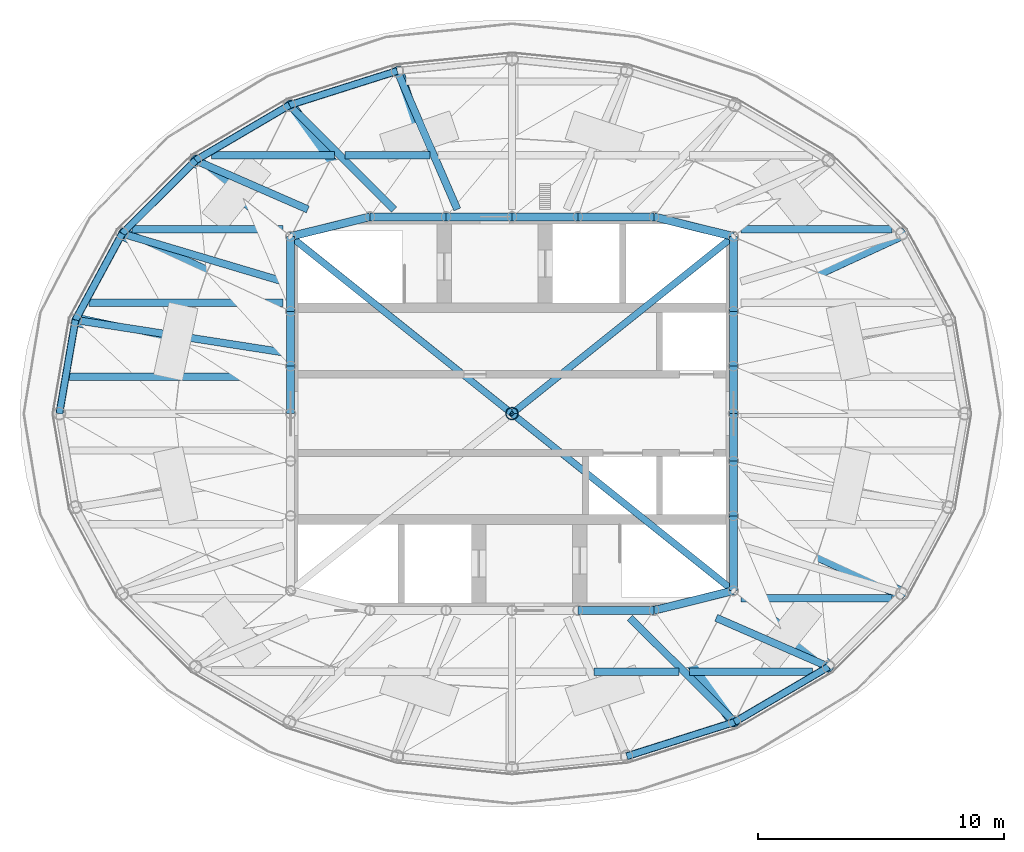
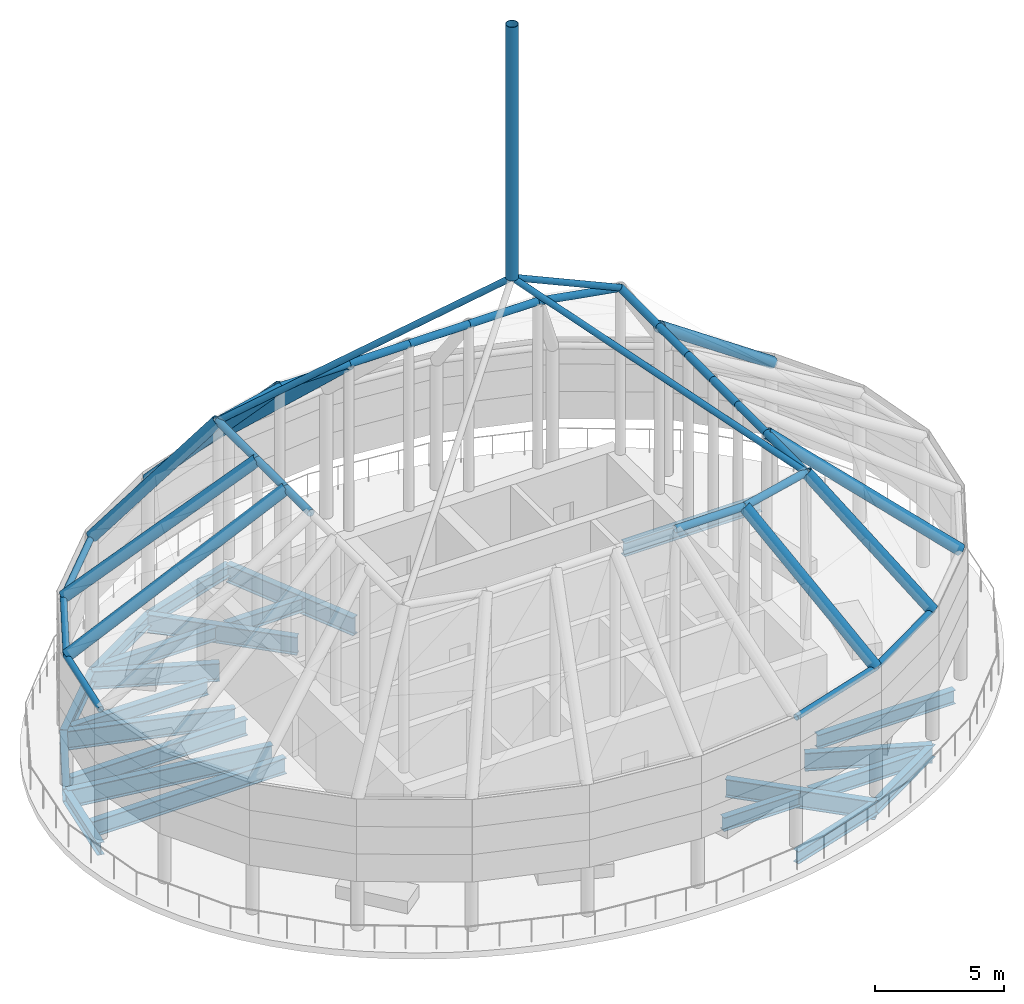
# One storey, part 2 of 8: 56 beams, 4 members.
"""IFC4 building model written with IfcOpenShell, lengths in metres."""

from ifc_helpers import new_model, si_unit, direction, frame, origin, origin_2d, place, context, subcontext, project, spatial, hollow_circle, i_section, extrude, material, material_profile, profile_set, type_object, element, save


model = new_model("IFC4")

# Units and contexts
model_context = context("Model", 3, precision=1e-05, world=origin(), true_north=direction((0.0, 1.0)))
body_context = subcontext(model_context, "Body", "Model", "MODEL_VIEW")
ifc_project = project(units=[si_unit("LENGTHUNIT", "METRE"), si_unit("AREAUNIT", "SQUARE_METRE"), si_unit("VOLUMEUNIT", "CUBIC_METRE"), si_unit("PLANEANGLEUNIT", "RADIAN"), si_unit("MASSUNIT", "GRAM", prefix="KILO")], contexts=[model_context])

# Site, building, storey
site_placement = place(None, origin())
site = spatial("IfcSite", under=ifc_project, at=site_placement, CompositionType="ELEMENT")
building_placement = place(site_placement, origin())
building = spatial("IfcBuilding", under=site, at=building_placement, Name="Hankou Lantern Tower", CompositionType="ELEMENT")
storey_placement = place(building_placement, frame((0.0, 0.0, 248.699951171875)))
storey = spatial("IfcBuildingStorey", under=building, at=storey_placement, Name="RF", CompositionType="ELEMENT", Elevation=248.699951171875)

# Beams
ifc_material_1 = material(Name="Steel Q355B", Category="steel")
ifc_material_profile_1 = material_profile(ifc_material_1, hollow_circle(Radius=0.136474609375, WallThickness=0.011962890625, at=origin_2d()), Name="CHS273x12")
ifc_profile_set_1 = profile_set([ifc_material_profile_1], Name="Steel Q355B")
beam_type_1 = type_object("IfcBeamType", Name="CP1 CANOPY RING CHS273x12", PredefinedType="BEAM", material=ifc_profile_set_1)
beam_1_placement = place(storey_placement, frame((-4.66552734375, 13.929443359375, 6.0), z_axis=(-0.953150024165, -0.302497985836, 0.0), x_axis=(0.302497985836, -0.953150024165, 0.0)))
element("IfcBeam", 1, at=beam_1_placement, inside=storey, type_object=beam_type_1, Name="Canopy outer ring bay R08", PredefinedType="BEAM", context=body_context, shape_type="SweptSolid", body=[
    extrude(hollow_circle(Radius=0.136474609375, WallThickness=0.011962890625, at=origin_2d()), origin(), (0.0, 0.0, 1.0), 4.5986328125),
])
beam_2_placement = place(storey_placement, frame((-9.048828125, 12.538330078125, 6.0), z_axis=(-0.862064554074, -0.506798485207, 0.0), x_axis=(0.506798485207, -0.862064554074, 0.0)))
element("IfcBeam", 2, at=beam_2_placement, inside=storey, type_object=beam_type_1, Name="Canopy outer ring bay R09", PredefinedType="BEAM", context=body_context, shape_type="SweptSolid", body=[
    extrude(hollow_circle(Radius=0.136474609375, WallThickness=0.011962890625, at=origin_2d()), origin(), (0.0, 0.0, 1.0), 4.428955078125),
])
beam_3_placement = place(storey_placement, frame((-12.866943359375, 10.293701171875, 6.0), z_axis=(-0.707657475865, -0.706555657293, 0.0), x_axis=(0.706555657293, -0.707657475865, 0.0)))
element("IfcBeam", 3, at=beam_3_placement, inside=storey, type_object=beam_type_1, Name="Canopy outer ring bay R10", PredefinedType="BEAM", context=body_context, shape_type="SweptSolid", body=[
    extrude(hollow_circle(Radius=0.136474609375, WallThickness=0.011962890625, at=origin_2d()), origin(), (0.0, 0.0, 1.0), 4.2099609375),
])
beam_4_placement = place(storey_placement, frame((-15.84619140625, 7.319091796875, 6.0), z_axis=(-0.475556651725, -0.879685097634, 0.0), x_axis=(0.879685097634, -0.475556651725, 0.0)))
element("IfcBeam", 4, at=beam_4_placement, inside=storey, type_object=beam_type_1, Name="Canopy outer ring bay R11", PredefinedType="BEAM", context=body_context, shape_type="SweptSolid", body=[
    extrude(hollow_circle(Radius=0.136474609375, WallThickness=0.011962890625, at=origin_2d()), origin(), (0.0, 0.0, 1.0), 3.99560546875),
])
beam_5_placement = place(storey_placement, frame((-17.746337890625, 3.80419921875, 6.0), z_axis=(-0.169320180804, -0.98556109723, 0.0), x_axis=(0.98556109723, -0.169320180804, 0.0)))
element("IfcBeam", 5, at=beam_5_placement, inside=storey, type_object=beam_type_1, Name="Canopy outer ring bay R12", PredefinedType="BEAM", context=body_context, shape_type="SweptSolid", body=[
    extrude(hollow_circle(Radius=0.136474609375, WallThickness=0.011962890625, at=origin_2d()), origin(), (0.0, 0.0, 1.0), 3.85986328125),
])
beam_6_placement = place(storey_placement, frame((4.66552734375, -13.929443359375, 6.0), z_axis=(0.953150024165, 0.302497985836, 0.0), x_axis=(-0.302497985836, 0.953150024165, 0.0)))
element("IfcBeam", 6, at=beam_6_placement, inside=storey, type_object=beam_type_1, Name="Canopy outer ring bay R20", PredefinedType="BEAM", context=body_context, shape_type="SweptSolid", body=[
    extrude(hollow_circle(Radius=0.136474609375, WallThickness=0.011962890625, at=origin_2d()), origin(), (0.0, 0.0, 1.0), 4.5986328125),
])
beam_7_placement = place(storey_placement, frame((9.048828125, -12.538330078125, 6.0), z_axis=(0.862064554074, 0.506798485207, 0.0), x_axis=(-0.506798485207, 0.862064554074, 0.0)))
element("IfcBeam", 7, at=beam_7_placement, inside=storey, type_object=beam_type_1, Name="Canopy outer ring bay R21", PredefinedType="BEAM", context=body_context, shape_type="SweptSolid", body=[
    extrude(hollow_circle(Radius=0.136474609375, WallThickness=0.011962890625, at=origin_2d()), origin(), (0.0, 0.0, 1.0), 4.428955078125),
])
ifc_material_2 = material(Name="Steel Q355B", Category="steel")
ifc_material_profile_2 = material_profile(ifc_material_2, hollow_circle(Radius=0.16259765625, WallThickness=0.013916015625, at=origin_2d()), Name="CHS325x14")
ifc_profile_set_2 = profile_set([ifc_material_profile_2], Name="Steel Q355B")
beam_type_2 = type_object("IfcBeamType", Name="CP2 CANOPY CROWN RING CHS325x14", PredefinedType="BEAM", material=ifc_profile_set_2)
beam_8_placement = place(storey_placement, frame((9.0, 0.0, 12.0), z_axis=(0.0, 1.0, 0.0), x_axis=(-1.0, 0.0, 0.0)))
element("IfcBeam", 8, at=beam_8_placement, inside=storey, type_object=beam_type_2, Name="Canopy crown ring bay R01", PredefinedType="BEAM", context=body_context, shape_type="SweptSolid", body=[
    extrude(hollow_circle(Radius=0.16259765625, WallThickness=0.013916015625, at=origin_2d()), origin(), (0.0, 0.0, 1.0), 1.92919921875),
])
beam_9_placement = place(storey_placement, frame((9.0, 1.92919921875, 12.0), z_axis=(0.0, 1.0, 0.0), x_axis=(-1.0, 0.0, 0.0)))
element("IfcBeam", 9, at=beam_9_placement, inside=storey, type_object=beam_type_2, Name="Canopy crown ring bay R02", PredefinedType="BEAM", context=body_context, shape_type="SweptSolid", body=[
    extrude(hollow_circle(Radius=0.16259765625, WallThickness=0.013916015625, at=origin_2d()), origin(), (0.0, 0.0, 1.0), 2.227783203125),
])
beam_10_placement = place(storey_placement, frame((9.0, 4.156982421875, 12.0), z_axis=(0.0, 1.0, 0.0), x_axis=(-1.0, 0.0, 0.0)))
element("IfcBeam", 10, at=beam_10_placement, inside=storey, type_object=beam_type_2, Name="Canopy crown ring bay R03", PredefinedType="BEAM", context=body_context, shape_type="SweptSolid", body=[
    extrude(hollow_circle(Radius=0.16259765625, WallThickness=0.013916015625, at=origin_2d()), origin(), (0.0, 0.0, 1.0), 3.04296875),
])
beam_11_placement = place(storey_placement, frame((9.0, 7.199951171875, 12.0), z_axis=(-0.970607276684, 0.240668889656, 0.0), x_axis=(-0.240668889656, -0.970607276684, 0.0)))
element("IfcBeam", 11, at=beam_11_placement, inside=storey, type_object=beam_type_2, Name="Canopy crown ring bay R04", PredefinedType="BEAM", context=body_context, shape_type="SweptSolid", body=[
    extrude(hollow_circle(Radius=0.16259765625, WallThickness=0.013916015625, at=origin_2d()), origin(), (0.0, 0.0, 1.0), 3.32421875),
])
beam_12_placement = place(storey_placement, frame((5.7734375, 8.0, 12.0), z_axis=(-1.0, 0.0, 0.0), x_axis=(0.0, -1.0, 0.0)))
element("IfcBeam", 12, at=beam_12_placement, inside=storey, type_object=beam_type_2, Name="Canopy crown ring bay R05", PredefinedType="BEAM", context=body_context, shape_type="SweptSolid", body=[
    extrude(hollow_circle(Radius=0.16259765625, WallThickness=0.013916015625, at=origin_2d()), origin(), (0.0, 0.0, 1.0), 3.093994140625),
])
for number, where, z_axis, x_axis, name in (
    (13, (2.679443359375, 8.0, 12.0), (-1.0, 0.0, 0.0), (0.0, -1.0, 0.0), "Canopy crown ring bay R06"),
    (14, (0.0, 8.0, 12.0), (-1.0, 0.0, 0.0), (0.0, -1.0, 0.0), "Canopy crown ring bay R07"),
):
    element("IfcBeam", number, at=place(storey_placement, frame(where, z_axis=z_axis, x_axis=x_axis)), inside=storey, type_object=beam_type_2, Name=name, PredefinedType="BEAM", context=body_context, shape_type="SweptSolid", body=[
        extrude(hollow_circle(Radius=0.16259765625, WallThickness=0.013916015625, at=origin_2d()), origin(), (0.0, 0.0, 1.0), 2.679443359375),
    ])
beam_13_placement = place(storey_placement, frame((-2.679443359375, 8.0, 12.0), z_axis=(-1.0, 0.0, 0.0), x_axis=(0.0, -1.0, 0.0)))
element("IfcBeam", 15, at=beam_13_placement, inside=storey, type_object=beam_type_2, Name="Canopy crown ring bay R08", PredefinedType="BEAM", context=body_context, shape_type="SweptSolid", body=[
    extrude(hollow_circle(Radius=0.16259765625, WallThickness=0.013916015625, at=origin_2d()), origin(), (0.0, 0.0, 1.0), 3.093994140625),
])
beam_14_placement = place(storey_placement, frame((-5.7734375, 8.0, 12.0), z_axis=(-0.970607276684, -0.240668889656, 0.0), x_axis=(0.240668889656, -0.970607276684, 0.0)))
element("IfcBeam", 16, at=beam_14_placement, inside=storey, type_object=beam_type_2, Name="Canopy crown ring bay R09", PredefinedType="BEAM", context=body_context, shape_type="SweptSolid", body=[
    extrude(hollow_circle(Radius=0.16259765625, WallThickness=0.013916015625, at=origin_2d()), origin(), (0.0, 0.0, 1.0), 3.32421875),
])
beam_15_placement = place(storey_placement, frame((-9.0, 7.199951171875, 12.0), z_axis=(0.0, -1.0, 0.0), x_axis=(1.0, 0.0, 0.0)))
element("IfcBeam", 17, at=beam_15_placement, inside=storey, type_object=beam_type_2, Name="Canopy crown ring bay R10", PredefinedType="BEAM", context=body_context, shape_type="SweptSolid", body=[
    extrude(hollow_circle(Radius=0.16259765625, WallThickness=0.013916015625, at=origin_2d()), origin(), (0.0, 0.0, 1.0), 3.04296875),
])
beam_16_placement = place(storey_placement, frame((-9.0, 4.156982421875, 12.0), z_axis=(0.0, -1.0, 0.0), x_axis=(1.0, 0.0, 0.0)))
element("IfcBeam", 18, at=beam_16_placement, inside=storey, type_object=beam_type_2, Name="Canopy crown ring bay R11", PredefinedType="BEAM", context=body_context, shape_type="SweptSolid", body=[
    extrude(hollow_circle(Radius=0.16259765625, WallThickness=0.013916015625, at=origin_2d()), origin(), (0.0, 0.0, 1.0), 2.227783203125),
])
beam_17_placement = place(storey_placement, frame((-9.0, 1.92919921875, 12.0), z_axis=(0.0, -1.0, 0.0), x_axis=(1.0, 0.0, 0.0)))
element("IfcBeam", 19, at=beam_17_placement, inside=storey, type_object=beam_type_2, Name="Canopy crown ring bay R12", PredefinedType="BEAM", context=body_context, shape_type="SweptSolid", body=[
    extrude(hollow_circle(Radius=0.16259765625, WallThickness=0.013916015625, at=origin_2d()), origin(), (0.0, 0.0, 1.0), 1.92919921875),
])
beam_18_placement = place(storey_placement, frame((2.679443359375, -8.0, 12.0), z_axis=(1.0, 0.0, 0.0), x_axis=(0.0, 1.0, 0.0)))
element("IfcBeam", 20, at=beam_18_placement, inside=storey, type_object=beam_type_2, Name="Canopy crown ring bay R20", PredefinedType="BEAM", context=body_context, shape_type="SweptSolid", body=[
    extrude(hollow_circle(Radius=0.16259765625, WallThickness=0.013916015625, at=origin_2d()), origin(), (0.0, 0.0, 1.0), 3.093994140625),
])
beam_19_placement = place(storey_placement, frame((5.7734375, -8.0, 12.0), z_axis=(0.970607276684, 0.240668889656, 0.0), x_axis=(-0.240668889656, 0.970607276684, 0.0)))
element("IfcBeam", 21, at=beam_19_placement, inside=storey, type_object=beam_type_2, Name="Canopy crown ring bay R21", PredefinedType="BEAM", context=body_context, shape_type="SweptSolid", body=[
    extrude(hollow_circle(Radius=0.16259765625, WallThickness=0.013916015625, at=origin_2d()), origin(), (0.0, 0.0, 1.0), 3.32421875),
])
beam_20_placement = place(storey_placement, frame((9.0, -7.199951171875, 12.0), z_axis=(0.0, 1.0, 0.0), x_axis=(-1.0, 0.0, 0.0)))
element("IfcBeam", 22, at=beam_20_placement, inside=storey, type_object=beam_type_2, Name="Canopy crown ring bay R22", PredefinedType="BEAM", context=body_context, shape_type="SweptSolid", body=[
    extrude(hollow_circle(Radius=0.16259765625, WallThickness=0.013916015625, at=origin_2d()), origin(), (0.0, 0.0, 1.0), 3.04296875),
])
beam_21_placement = place(storey_placement, frame((9.0, -4.156982421875, 12.0), z_axis=(0.0, 1.0, 0.0), x_axis=(-1.0, 0.0, 0.0)))
element("IfcBeam", 23, at=beam_21_placement, inside=storey, type_object=beam_type_2, Name="Canopy crown ring bay R23", PredefinedType="BEAM", context=body_context, shape_type="SweptSolid", body=[
    extrude(hollow_circle(Radius=0.16259765625, WallThickness=0.013916015625, at=origin_2d()), origin(), (0.0, 0.0, 1.0), 2.227783203125),
])
beam_22_placement = place(storey_placement, frame((9.0, -1.92919921875, 12.0), z_axis=(0.0, 1.0, 0.0), x_axis=(-1.0, 0.0, 0.0)))
element("IfcBeam", 24, at=beam_22_placement, inside=storey, type_object=beam_type_2, Name="Canopy crown ring bay R24", PredefinedType="BEAM", context=body_context, shape_type="SweptSolid", body=[
    extrude(hollow_circle(Radius=0.16259765625, WallThickness=0.013916015625, at=origin_2d()), origin(), (0.0, 0.0, 1.0), 1.92919921875),
])
ifc_material_3 = material(Name="Steel Q355B", Category="steel")
ifc_material_profile_3 = material_profile(ifc_material_3, hollow_circle(Radius=0.25390625, WallThickness=0.02001953125, at=origin_2d()), Name="CHS508x20")
ifc_profile_set_3 = profile_set([ifc_material_profile_3], Name="Steel Q355B")
beam_type_3 = type_object("IfcBeamType", Name="CR2 CANOPY RIB CHS508x20", PredefinedType="BEAM", material=ifc_profile_set_3)
beam_23_placement = place(storey_placement, frame((15.84619140625, 7.319091796875, 6.0), z_axis=(-0.710416460096, -0.328126167576, 0.622608762689), x_axis=(0.41931273402, -0.907841853567, 0.0)))
element("IfcBeam", 25, at=beam_23_placement, inside=storey, type_object=beam_type_3, Name="Canopy rib R03", PredefinedType="BEAM", context=body_context, shape_type="SweptSolid", body=[
    extrude(hollow_circle(Radius=0.25390625, WallThickness=0.02001953125, at=origin_2d()), origin(), (0.0, 0.0, 1.0), 9.636962890625),
])
beam_24_placement = place(storey_placement, frame((-4.66552734375, 13.929443359375, 6.0), z_axis=(0.229176173343, -0.684204268222, 0.692345867987), x_axis=(0.948221591539, 0.317609529673, 0.0)))
element("IfcBeam", 26, at=beam_24_placement, inside=storey, type_object=beam_type_3, Name="Canopy rib R08", PredefinedType="BEAM", context=body_context, shape_type="SweptSolid", body=[
    extrude(hollow_circle(Radius=0.25390625, WallThickness=0.02001953125, at=origin_2d()), origin(), (0.0, 0.0, 1.0), 8.666259765625),
])
beam_25_placement = place(storey_placement, frame((-9.048828125, 12.538330078125, 6.0), z_axis=(0.399186765563, -0.553106945815, 0.731247312946), x_axis=(0.810873576555, 0.58522136226, 0.0)))
element("IfcBeam", 27, at=beam_25_placement, inside=storey, type_object=beam_type_3, Name="Canopy rib R09", PredefinedType="BEAM", context=body_context, shape_type="SweptSolid", body=[
    extrude(hollow_circle(Radius=0.25390625, WallThickness=0.02001953125, at=origin_2d()), origin(), (0.0, 0.0, 1.0), 8.205078125),
])
beam_26_placement = place(storey_placement, frame((-12.866943359375, 10.293701171875, 6.0), z_axis=(0.497052270675, -0.397666921775, 0.771232817988), x_axis=(0.624719095634, 0.780849570372, 0.0)))
element("IfcBeam", 28, at=beam_26_placement, inside=storey, type_object=beam_type_3, Name="Canopy rib R10", PredefinedType="BEAM", context=body_context, shape_type="SweptSolid", body=[
    extrude(hollow_circle(Radius=0.25390625, WallThickness=0.02001953125, at=origin_2d()), origin(), (0.0, 0.0, 1.0), 7.77978515625),
])
beam_27_placement = place(storey_placement, frame((-15.84619140625, 7.319091796875, 6.0), z_axis=(0.710416460096, -0.328126167576, 0.622608762689), x_axis=(0.41931273402, 0.907841853567, 0.0)))
element("IfcBeam", 29, at=beam_27_placement, inside=storey, type_object=beam_type_3, Name="Canopy rib R11", PredefinedType="BEAM", context=body_context, shape_type="SweptSolid", body=[
    extrude(hollow_circle(Radius=0.25390625, WallThickness=0.02001953125, at=origin_2d()), origin(), (0.0, 0.0, 1.0), 9.636962890625),
])
beam_28_placement = place(storey_placement, frame((-17.746337890625, 3.80419921875, 6.0), z_axis=(0.812027905765, -0.174078836463, 0.55705227668), x_axis=(0.209612965099, 0.977784436807, 0.0)))
element("IfcBeam", 30, at=beam_28_placement, inside=storey, type_object=beam_type_3, Name="Canopy rib R12", PredefinedType="BEAM", context=body_context, shape_type="SweptSolid", body=[
    extrude(hollow_circle(Radius=0.25390625, WallThickness=0.02001953125, at=origin_2d()), origin(), (0.0, 0.0, 1.0), 10.77099609375),
])
beam_29_placement = place(storey_placement, frame((9.048828125, -12.538330078125, 6.0), z_axis=(-0.399186765563, 0.553106945815, 0.731247312946), x_axis=(-0.810873576555, -0.58522136226, 0.0)))
element("IfcBeam", 31, at=beam_29_placement, inside=storey, type_object=beam_type_3, Name="Canopy rib R21", PredefinedType="BEAM", context=body_context, shape_type="SweptSolid", body=[
    extrude(hollow_circle(Radius=0.25390625, WallThickness=0.02001953125, at=origin_2d()), origin(), (0.0, 0.0, 1.0), 8.205078125),
])
beam_30_placement = place(storey_placement, frame((12.866943359375, -10.293701171875, 6.0), z_axis=(-0.497052270675, 0.397666921775, 0.771232817988), x_axis=(-0.624719095634, -0.780849570372, 0.0)))
element("IfcBeam", 32, at=beam_30_placement, inside=storey, type_object=beam_type_3, Name="Canopy rib R22", PredefinedType="BEAM", context=body_context, shape_type="SweptSolid", body=[
    extrude(hollow_circle(Radius=0.25390625, WallThickness=0.02001953125, at=origin_2d()), origin(), (0.0, 0.0, 1.0), 7.77978515625),
])
beam_31_placement = place(storey_placement, frame((15.84619140625, -7.319091796875, 6.0), z_axis=(-0.710416460096, 0.328126167576, 0.622608762689), x_axis=(-0.41931273402, -0.907841853567, 0.0)))
element("IfcBeam", 33, at=beam_31_placement, inside=storey, type_object=beam_type_3, Name="Canopy rib R23", PredefinedType="BEAM", context=body_context, shape_type="SweptSolid", body=[
    extrude(hollow_circle(Radius=0.25390625, WallThickness=0.02001953125, at=origin_2d()), origin(), (0.0, 0.0, 1.0), 9.636962890625),
])

# Members
ifc_material_4 = material(Name="Steel Q355B", Category="steel")
ifc_material_profile_4 = material_profile(ifc_material_4, hollow_circle(Radius=0.136474609375, WallThickness=0.011962890625, at=origin_2d()), Name="CHS273x12")
ifc_profile_set_4 = profile_set([ifc_material_profile_4], Name="Steel Q355B")
member_type_1 = type_object("IfcMemberType", Name="CR4 CROWN RAKER CHS273x12", PredefinedType="MEMBER", material=ifc_profile_set_4)
for number, where, z_axis, x_axis, name in (
    (34, (9.0, 7.199951171875, 12.0), (-0.641485149635, -0.513184639428, 0.570209021897), (0.624692464322, -0.780870876022, 0.0), "Crown raker R04"),
    (35, (-9.0, 7.199951171875, 12.0), (0.641485149635, -0.513184639428, 0.570209021897), (0.624692464322, 0.780870876022, 0.0), "Crown raker R10"),
    (36, (9.0, -7.199951171875, 12.0), (-0.641485149635, 0.513184639428, 0.570209021897), (-0.624692464322, -0.780870876022, 0.0), "Crown raker R22"),
):
    element("IfcMember", number, at=place(storey_placement, frame(where, z_axis=z_axis, x_axis=x_axis)), inside=storey, type_object=member_type_1, Name=name, PredefinedType="MEMBER", context=body_context, shape_type="SweptSolid", body=[
        extrude(hollow_circle(Radius=0.136474609375, WallThickness=0.011962890625, at=origin_2d()), origin(), (0.0, 0.0, 1.0), 14.030029296875),
    ])

# Beams
ifc_material_5 = material(Name="Steel Q355B", Category="steel")
ifc_material_profile_5 = material_profile(ifc_material_5, i_section(OverallWidth=0.300048828125, OverallDepth=0.587890625, WebThickness=0.011962890625, FlangeThickness=0.02001953125, FilletRadius=0.01806640625, at=origin_2d()), Name="HM588x300x12x20")
ifc_profile_set_5 = profile_set([ifc_material_profile_5], Name="Steel Q355B")
beam_type_4 = type_object("IfcBeamType", Name="EB16 RING BEAM HM588x300x12x20", PredefinedType="SPANDREL", material=ifc_profile_set_5)
beam_32_placement = place(storey_placement, frame((-4.66552734375, 13.929443359375, -0.593994140625), z_axis=(-0.953150024165, -0.302497985836, 0.0), x_axis=(0.302497985836, -0.953150024165, 0.0)))
element("IfcBeam", 37, at=beam_32_placement, inside=storey, type_object=beam_type_4, Name="Ring beam R08-R09 RF", PredefinedType="SPANDREL", context=body_context, shape_type="SweptSolid", body=[
    extrude(i_section(OverallWidth=0.300048828125, OverallDepth=0.587890625, WebThickness=0.011962890625, FlangeThickness=0.02001953125, FilletRadius=0.01806640625, at=origin_2d()), origin(), (0.0, 0.0, 1.0), 4.5986328125),
])
beam_33_placement = place(storey_placement, frame((-9.048828125, 12.538330078125, -0.593994140625), z_axis=(-0.862064554074, -0.506798485207, 0.0), x_axis=(0.506798485207, -0.862064554074, 0.0)))
element("IfcBeam", 38, at=beam_33_placement, inside=storey, type_object=beam_type_4, Name="Ring beam R09-R10 RF", PredefinedType="SPANDREL", context=body_context, shape_type="SweptSolid", body=[
    extrude(i_section(OverallWidth=0.300048828125, OverallDepth=0.587890625, WebThickness=0.011962890625, FlangeThickness=0.02001953125, FilletRadius=0.01806640625, at=origin_2d()), origin(), (0.0, 0.0, 1.0), 4.428955078125),
])
beam_34_placement = place(storey_placement, frame((-12.866943359375, 10.293701171875, -0.593994140625), z_axis=(-0.707657475865, -0.706555657293, 0.0), x_axis=(0.706555657293, -0.707657475865, 0.0)))
element("IfcBeam", 39, at=beam_34_placement, inside=storey, type_object=beam_type_4, Name="Ring beam R10-R11 RF", PredefinedType="SPANDREL", context=body_context, shape_type="SweptSolid", body=[
    extrude(i_section(OverallWidth=0.300048828125, OverallDepth=0.587890625, WebThickness=0.011962890625, FlangeThickness=0.02001953125, FilletRadius=0.01806640625, at=origin_2d()), origin(), (0.0, 0.0, 1.0), 4.2099609375),
])
beam_35_placement = place(storey_placement, frame((-15.84619140625, 7.319091796875, -0.593994140625), z_axis=(-0.475556651725, -0.879685097634, 0.0), x_axis=(0.879685097634, -0.475556651725, 0.0)))
element("IfcBeam", 40, at=beam_35_placement, inside=storey, type_object=beam_type_4, Name="Ring beam R11-R12 RF", PredefinedType="SPANDREL", context=body_context, shape_type="SweptSolid", body=[
    extrude(i_section(OverallWidth=0.300048828125, OverallDepth=0.587890625, WebThickness=0.011962890625, FlangeThickness=0.02001953125, FilletRadius=0.01806640625, at=origin_2d()), origin(), (0.0, 0.0, 1.0), 3.99560546875),
])
beam_36_placement = place(storey_placement, frame((-17.746337890625, 3.80419921875, -0.593994140625), z_axis=(-0.169320180804, -0.98556109723, 0.0), x_axis=(0.98556109723, -0.169320180804, 0.0)))
element("IfcBeam", 41, at=beam_36_placement, inside=storey, type_object=beam_type_4, Name="Ring beam R12-R13 RF", PredefinedType="SPANDREL", context=body_context, shape_type="SweptSolid", body=[
    extrude(i_section(OverallWidth=0.300048828125, OverallDepth=0.587890625, WebThickness=0.011962890625, FlangeThickness=0.02001953125, FilletRadius=0.01806640625, at=origin_2d()), origin(), (0.0, 0.0, 1.0), 3.85986328125),
])
beam_37_placement = place(storey_placement, frame((4.66552734375, -13.929443359375, -0.593994140625), z_axis=(0.953150024165, 0.302497985836, 0.0), x_axis=(-0.302497985836, 0.953150024165, 0.0)))
element("IfcBeam", 42, at=beam_37_placement, inside=storey, type_object=beam_type_4, Name="Ring beam R20-R21 RF", PredefinedType="SPANDREL", context=body_context, shape_type="SweptSolid", body=[
    extrude(i_section(OverallWidth=0.300048828125, OverallDepth=0.587890625, WebThickness=0.011962890625, FlangeThickness=0.02001953125, FilletRadius=0.01806640625, at=origin_2d()), origin(), (0.0, 0.0, 1.0), 4.5986328125),
])
beam_38_placement = place(storey_placement, frame((9.048828125, -12.538330078125, -0.593994140625), z_axis=(0.862064554074, 0.506798485207, 0.0), x_axis=(-0.506798485207, 0.862064554074, 0.0)))
element("IfcBeam", 43, at=beam_38_placement, inside=storey, type_object=beam_type_4, Name="Ring beam R21-R22 RF", PredefinedType="SPANDREL", context=body_context, shape_type="SweptSolid", body=[
    extrude(i_section(OverallWidth=0.300048828125, OverallDepth=0.587890625, WebThickness=0.011962890625, FlangeThickness=0.02001953125, FilletRadius=0.01806640625, at=origin_2d()), origin(), (0.0, 0.0, 1.0), 4.428955078125),
])
ifc_material_6 = material(Name="Steel Q355B", Category="steel")
ifc_material_profile_6 = material_profile(ifc_material_6, i_section(OverallWidth=0.300048828125, OverallDepth=0.85009765625, WebThickness=0.01611328125, FlangeThickness=0.027099609375, FilletRadius=0.01806640625, at=origin_2d()), Name="HN850x300x16x27")
ifc_profile_set_6 = profile_set([ifc_material_profile_6], Name="Steel Q355B")
beam_type_5 = type_object("IfcBeamType", Name="RB12 RADIAL BEAM HN850x300x16x27", PredefinedType="BEAM", material=ifc_profile_set_6)
beam_39_placement = place(storey_placement, frame((-2.223876953125, 8.300048828125, -0.724853515625), z_axis=(-0.397915592164, 0.917422030209, 0.0), x_axis=(-0.917422030209, -0.397915592164, 0.0)))
element("IfcBeam", 44, at=beam_39_placement, inside=storey, type_object=beam_type_5, Name="Radial beam R08 RF", PredefinedType="BEAM", context=body_context, shape_type="SweptSolid", body=[
    extrude(i_section(OverallWidth=0.300048828125, OverallDepth=0.85009765625, WebThickness=0.01611328125, FlangeThickness=0.027099609375, FilletRadius=0.01806640625, at=origin_2d()), origin(), (0.0, 0.0, 1.0), 6.135986328125),
])
beam_40_placement = place(storey_placement, frame((-4.7919921875, 8.300048828125, -0.724853515625), z_axis=(-0.708649524574, 0.705560664522, 0.0), x_axis=(-0.705560664522, -0.708649524574, 0.0)))
element("IfcBeam", 45, at=beam_40_placement, inside=storey, type_object=beam_type_5, Name="Radial beam R09 RF", PredefinedType="BEAM", context=body_context, shape_type="SweptSolid", body=[
    extrude(i_section(OverallWidth=0.300048828125, OverallDepth=0.85009765625, WebThickness=0.01611328125, FlangeThickness=0.027099609375, FilletRadius=0.01806640625, at=origin_2d()), origin(), (0.0, 0.0, 1.0), 6.007080078125),
])
beam_41_placement = place(storey_placement, frame((-8.300048828125, 8.300048828125, -0.724853515625), z_axis=(-0.91647863232, 0.400083636882, 0.0), x_axis=(-0.400083636882, -0.91647863232, 0.0)))
element("IfcBeam", 46, at=beam_41_placement, inside=storey, type_object=beam_type_5, Name="Radial beam R10 RF", PredefinedType="BEAM", context=body_context, shape_type="SweptSolid", body=[
    extrude(i_section(OverallWidth=0.300048828125, OverallDepth=0.85009765625, WebThickness=0.01611328125, FlangeThickness=0.027099609375, FilletRadius=0.01806640625, at=origin_2d()), origin(), (0.0, 0.0, 1.0), 4.983154296875),
])
beam_42_placement = place(storey_placement, frame((-9.300048828125, 2.491943359375, -0.724853515625), z_axis=(-0.988145083079, 0.153522945472, 0.0), x_axis=(-0.153522945472, -0.988145083079, 0.0)))
element("IfcBeam", 47, at=beam_42_placement, inside=storey, type_object=beam_type_5, Name="Radial beam R12 RF", PredefinedType="BEAM", context=body_context, shape_type="SweptSolid", body=[
    extrude(i_section(OverallWidth=0.300048828125, OverallDepth=0.85009765625, WebThickness=0.01611328125, FlangeThickness=0.027099609375, FilletRadius=0.01806640625, at=origin_2d()), origin(), (0.0, 0.0, 1.0), 8.547607421875),
])
beam_43_placement = place(storey_placement, frame((4.7919921875, -8.300048828125, -0.724853515625), z_axis=(0.708649524574, -0.705560664522, 0.0), x_axis=(0.705560664522, 0.708649524574, 0.0)))
element("IfcBeam", 48, at=beam_43_placement, inside=storey, type_object=beam_type_5, Name="Radial beam R21 RF", PredefinedType="BEAM", context=body_context, shape_type="SweptSolid", body=[
    extrude(i_section(OverallWidth=0.300048828125, OverallDepth=0.85009765625, WebThickness=0.01611328125, FlangeThickness=0.027099609375, FilletRadius=0.01806640625, at=origin_2d()), origin(), (0.0, 0.0, 1.0), 6.007080078125),
])
beam_44_placement = place(storey_placement, frame((8.300048828125, -8.300048828125, -0.724853515625), z_axis=(0.91647863232, -0.400083636882, 0.0), x_axis=(0.400083636882, 0.91647863232, 0.0)))
element("IfcBeam", 49, at=beam_44_placement, inside=storey, type_object=beam_type_5, Name="Radial beam R22 RF", PredefinedType="BEAM", context=body_context, shape_type="SweptSolid", body=[
    extrude(i_section(OverallWidth=0.300048828125, OverallDepth=0.85009765625, WebThickness=0.01611328125, FlangeThickness=0.027099609375, FilletRadius=0.01806640625, at=origin_2d()), origin(), (0.0, 0.0, 1.0), 4.983154296875),
])
ifc_material_7 = material(Name="Steel Q355B", Category="steel")
ifc_material_profile_7 = material_profile(ifc_material_7, i_section(OverallWidth=0.300048828125, OverallDepth=0.89990234375, WebThickness=0.01611328125, FlangeThickness=0.028076171875, FilletRadius=0.01806640625, at=origin_2d()), Name="HN900x300x16x28")
ifc_profile_set_7 = profile_set([ifc_material_profile_7], Name="Steel Q355B")
beam_type_6 = type_object("IfcBeamType", Name="RB13 RADIAL BEAM HN900x300x16x28", PredefinedType="BEAM", material=ifc_profile_set_7)
beam_45_placement = place(storey_placement, frame((-9.300048828125, 5.369384765625, -0.75), z_axis=(-0.958394006021, 0.285448645511, 0.0), x_axis=(-0.285448645511, -0.958394006021, 0.0)))
element("IfcBeam", 50, at=beam_45_placement, inside=storey, type_object=beam_type_6, Name="Radial beam R11 RF", PredefinedType="BEAM", context=body_context, shape_type="SweptSolid", body=[
    extrude(i_section(OverallWidth=0.300048828125, OverallDepth=0.89990234375, WebThickness=0.01611328125, FlangeThickness=0.028076171875, FilletRadius=0.01806640625, at=origin_2d()), origin(), (0.0, 0.0, 1.0), 6.830322265625),
])
ifc_material_8 = material(Name="Steel Q355B", Category="steel")
ifc_material_profile_8 = material_profile(ifc_material_8, i_section(OverallWidth=0.300048828125, OverallDepth=0.75, WebThickness=0.012939453125, FlangeThickness=0.02392578125, FilletRadius=0.01806640625, at=origin_2d()), Name="HN750x300x13x24")
ifc_profile_set_8 = profile_set([ifc_material_profile_8], Name="Steel Q355B")
beam_type_7 = type_object("IfcBeamType", Name="SB10 SECONDARY BEAM HN750x300x13x24", PredefinedType="JOIST", material=ifc_profile_set_8)
beam_46_placement = place(storey_placement, frame((-17.989990234375, 1.5, -0.675048828125), z_axis=(1.0, 0.0, 0.0), x_axis=(0.0, 1.0, 0.0)))
element("IfcBeam", 51, at=beam_46_placement, inside=storey, type_object=beam_type_7, Name="Floor joist J013 RF", PredefinedType="JOIST", context=body_context, shape_type="SweptSolid", body=[
    extrude(i_section(OverallWidth=0.300048828125, OverallDepth=0.75, WebThickness=0.012939453125, FlangeThickness=0.02392578125, FilletRadius=0.01806640625, at=origin_2d()), origin(), (0.0, 0.0, 1.0), 8.68994140625),
])
beam_47_placement = place(storey_placement, frame((-17.199462890625, 4.5, -0.675048828125), z_axis=(1.0, 0.0, 0.0), x_axis=(0.0, 1.0, 0.0)))
element("IfcBeam", 52, at=beam_47_placement, inside=storey, type_object=beam_type_7, Name="Floor joist J015 RF", PredefinedType="JOIST", context=body_context, shape_type="SweptSolid", body=[
    extrude(i_section(OverallWidth=0.300048828125, OverallDepth=0.75, WebThickness=0.012939453125, FlangeThickness=0.02392578125, FilletRadius=0.01806640625, at=origin_2d()), origin(), (0.0, 0.0, 1.0), 7.8994140625),
])
ifc_material_9 = material(Name="Steel Q355B", Category="steel")
ifc_material_profile_9 = material_profile(ifc_material_9, i_section(OverallWidth=0.300048828125, OverallDepth=0.64990234375, WebThickness=0.010986328125, FlangeThickness=0.01708984375, FilletRadius=0.01806640625, at=origin_2d()), Name="HN650x300x11x17")
ifc_profile_set_9 = profile_set([ifc_material_profile_9], Name="Steel Q355B")
beam_type_8 = type_object("IfcBeamType", Name="SB8 SECONDARY BEAM HN650x300x11x17", PredefinedType="JOIST", material=ifc_profile_set_9)
beam_48_placement = place(storey_placement, frame((3.341552734375, -10.5, -0.625), z_axis=(1.0, 0.0, 0.0), x_axis=(0.0, 1.0, 0.0)))
element("IfcBeam", 53, at=beam_48_placement, inside=storey, type_object=beam_type_8, Name="Floor joist J005 RF", PredefinedType="JOIST", context=body_context, shape_type="SweptSolid", body=[
    extrude(i_section(OverallWidth=0.300048828125, OverallDepth=0.64990234375, WebThickness=0.010986328125, FlangeThickness=0.01708984375, FilletRadius=0.01806640625, at=origin_2d()), origin(), (0.0, 0.0, 1.0), 3.447509765625),
])
beam_49_placement = place(storey_placement, frame((7.214111328125, -10.5, -0.625), z_axis=(1.0, 0.0, 0.0), x_axis=(0.0, 1.0, 0.0)))
element("IfcBeam", 54, at=beam_49_placement, inside=storey, type_object=beam_type_8, Name="Floor joist J006 RF", PredefinedType="JOIST", context=body_context, shape_type="SweptSolid", body=[
    extrude(i_section(OverallWidth=0.300048828125, OverallDepth=0.64990234375, WebThickness=0.010986328125, FlangeThickness=0.01708984375, FilletRadius=0.01806640625, at=origin_2d()), origin(), (0.0, 0.0, 1.0), 5.005859375),
])
for number, where, z_axis, x_axis, name in (
    (55, (9.300048828125, -7.5, -0.625), (1.0, 0.0, 0.0), (0.0, 1.0, 0.0), "Floor joist J008 RF"),
    (56, (-15.452392578125, 7.5, -0.625), (1.0, 0.0, 0.0), (0.0, 1.0, 0.0), "Floor joist J017 RF"),
    (57, (9.300048828125, 7.5, -0.625), (1.0, 0.0, 0.0), (0.0, 1.0, 0.0), "Floor joist J018 RF"),
):
    element("IfcBeam", number, at=place(storey_placement, frame(where, z_axis=z_axis, x_axis=x_axis)), inside=storey, type_object=beam_type_8, Name=name, PredefinedType="JOIST", context=body_context, shape_type="SweptSolid", body=[
        extrude(i_section(OverallWidth=0.300048828125, OverallDepth=0.64990234375, WebThickness=0.010986328125, FlangeThickness=0.01708984375, FilletRadius=0.01806640625, at=origin_2d()), origin(), (0.0, 0.0, 1.0), 6.15234375),
    ])
beam_50_placement = place(storey_placement, frame((-12.219970703125, 10.5, -0.625), z_axis=(1.0, 0.0, 0.0), x_axis=(0.0, 1.0, 0.0)))
element("IfcBeam", 58, at=beam_50_placement, inside=storey, type_object=beam_type_8, Name="Floor joist J019 RF", PredefinedType="JOIST", context=body_context, shape_type="SweptSolid", body=[
    extrude(i_section(OverallWidth=0.300048828125, OverallDepth=0.64990234375, WebThickness=0.010986328125, FlangeThickness=0.01708984375, FilletRadius=0.01806640625, at=origin_2d()), origin(), (0.0, 0.0, 1.0), 5.005859375),
])
beam_51_placement = place(storey_placement, frame((-6.7890625, 10.5, -0.625), z_axis=(1.0, 0.0, 0.0), x_axis=(0.0, 1.0, 0.0)))
element("IfcBeam", 59, at=beam_51_placement, inside=storey, type_object=beam_type_8, Name="Floor joist J020 RF", PredefinedType="JOIST", context=body_context, shape_type="SweptSolid", body=[
    extrude(i_section(OverallWidth=0.300048828125, OverallDepth=0.64990234375, WebThickness=0.010986328125, FlangeThickness=0.01708984375, FilletRadius=0.01806640625, at=origin_2d()), origin(), (0.0, 0.0, 1.0), 3.447509765625),
])

# Member
ifc_material_10 = material(Name="Steel Q355B", Category="steel")
ifc_material_profile_10 = material_profile(ifc_material_10, hollow_circle(Radius=0.25390625, WallThickness=0.02001953125, at=origin_2d()), Name="CHS508x20")
ifc_profile_set_10 = profile_set([ifc_material_profile_10], Name="Steel Q355B")
member_type_2 = type_object("IfcMemberType", Name="SP1 CROWN SPIRE CHS508x20", PredefinedType="MEMBER", material=ifc_profile_set_10)
member_placement = place(storey_placement, frame((0.0, 0.0, 20.0), z_axis=(0.0, 0.0, 1.0), x_axis=(1.0, 0.0, 0.0)))
element("IfcMember", 60, at=member_placement, inside=storey, type_object=member_type_2, Name="Crown spire", PredefinedType="MEMBER", context=body_context, shape_type="SweptSolid", body=[
    extrude(hollow_circle(Radius=0.25390625, WallThickness=0.02001953125, at=origin_2d()), origin(), (0.0, 0.0, 1.0), 12.0),
])

save(model, "model.ifc")
